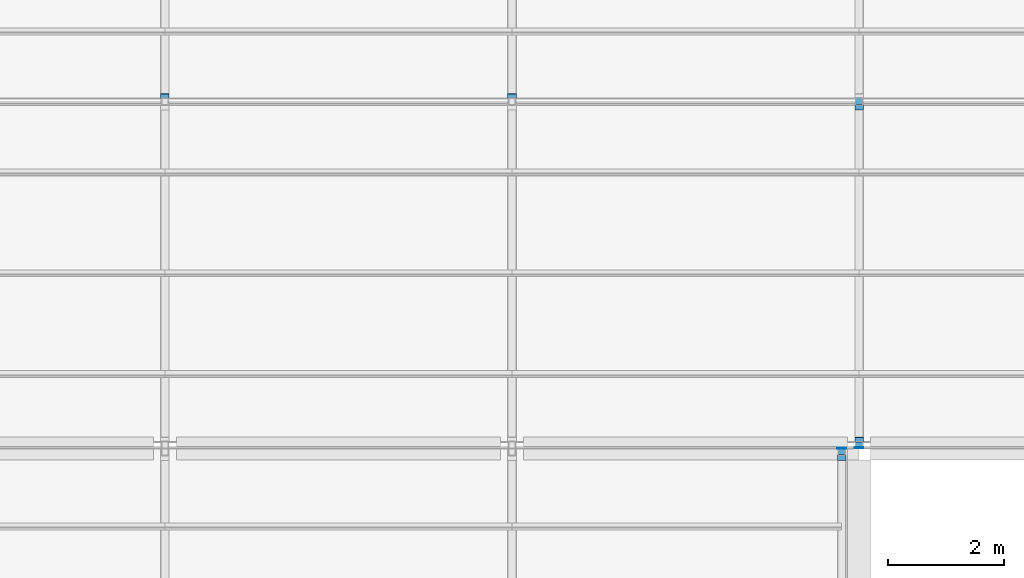
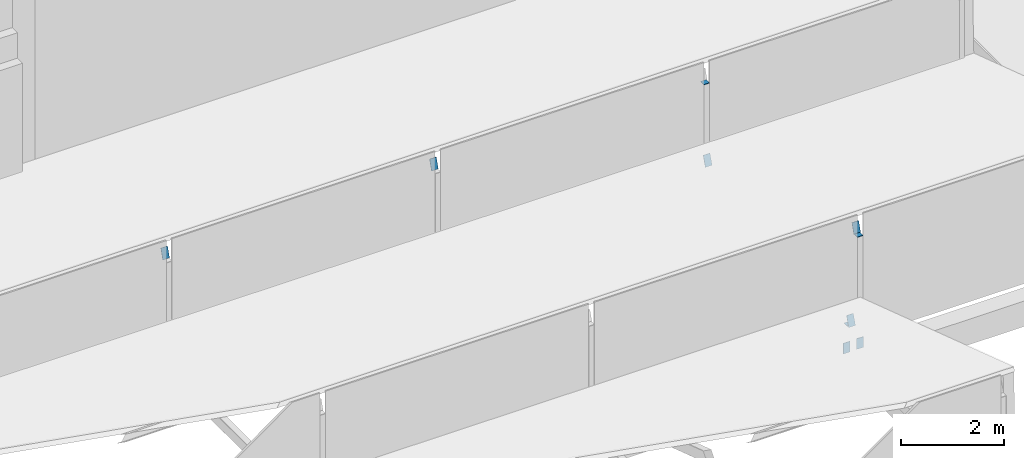
# One storey, part 85 of 118: 10 discrete accessories.
"""IFC4 building model written with IfcOpenShell, lengths in metres."""

import ifcopenshell
import ifcopenshell.guid

model = None  # the IFC model being written
_history = None  # IfcOwnerHistory: only IFC2X3 demands one
_inside = {}  # id of a spatial element -> (the spatial element, [elements in it])
_under = {}  # id of a project, library or spatial element -> (it, [spatial elements below it])
_declared = {}  # id of a project -> (the project, [libraries it declares])
_typed = {}  # id of a type object -> (the type object, [elements of that type])
_made_of = {}  # id of a material, layer set ... -> (it, [elements and type objects made of it])


def new_model(schema):
    """Start an empty IFC model of exactly this schema.

    Asked for "IFC4X3", IfcOpenShell would pick the latest addendum, in which some entities
    have other attributes; the version numbers below select the first issue.
    IFC2X3 requires an IfcOwnerHistory on every rooted entity: one is made here for all.
    """
    global model, _history
    if schema == "IFC4X3":
        model = ifcopenshell.file(schema_version=(4, 3, 0, 0))
    else:
        model = ifcopenshell.file(schema=schema)
    _inside.clear()
    _under.clear()
    _declared.clear()
    _typed.clear()
    _made_of.clear()
    _history = None
    if model.schema == "IFC2X3":
        org = make("IfcOrganization", Name="unknown")
        user = make(
            "IfcPersonAndOrganization",
            ThePerson=make("IfcPerson", FamilyName="unknown"),
            TheOrganization=org,
        )
        app = make(
            "IfcApplication",
            ApplicationDeveloper=org,
            Version="unknown",
            ApplicationFullName="unknown",
            ApplicationIdentifier="unknown",
        )
        _history = make(
            "IfcOwnerHistory",
            OwningUser=user,
            OwningApplication=app,
            ChangeAction="ADDED",
            CreationDate=0,
        )
    return model


def make(cls, **values):
    """One entity of the class cls with the attributes given. An attribute that is None is left unset."""
    return model.create_entity(
        cls, **{name: value for name, value in values.items() if value is not None}
    )


def rooted(cls, **values):
    """An entity with a GlobalId (a new one), such as an element, a storey or a relation."""
    return make(cls, GlobalId=ifcopenshell.guid.new(), OwnerHistory=_history, **values)


def si_unit(unit_type, name, prefix=None):
    """IfcSIUnit, for example si_unit("LENGTHUNIT", "METRE", prefix="MILLI")."""
    return make("IfcSIUnit", UnitType=unit_type, Prefix=prefix, Name=name)


def assignment(units):
    """IfcUnitAssignment: the units of a project."""
    return None if units is None else make("IfcUnitAssignment", Units=units)


def point(xyz):
    """IfcCartesianPoint."""
    return None if xyz is None else make("IfcCartesianPoint", Coordinates=xyz)


def direction(xyz):
    """IfcDirection."""
    return None if xyz is None else make("IfcDirection", DirectionRatios=xyz)


def frame(location, z_axis=None, x_axis=None):
    """IfcAxis2Placement3D, a coordinate frame: its origin and axes. An axis left out is left unset."""
    return make(
        "IfcAxis2Placement3D",
        Location=point(location),
        Axis=direction(z_axis),
        RefDirection=direction(x_axis),
    )


def frame_2d(location, x_axis=None):
    """IfcAxis2Placement2D, a coordinate frame in the plane: its origin and x axis."""
    return make(
        "IfcAxis2Placement2D", Location=point(location), RefDirection=direction(x_axis)
    )


def origin():
    """The frame at (0, 0, 0) with its axes left unset."""
    return frame((0.0, 0.0, 0.0))


def origin_2d():
    """The frame at (0, 0) in the plane with its x axis left unset."""
    return frame_2d((0.0, 0.0))


def place(relative_to, where):
    """IfcLocalPlacement: puts the frame where relative to a parent placement (None: the world)."""
    return make(
        "IfcLocalPlacement", PlacementRelTo=relative_to, RelativePlacement=where
    )


def context(
    kind, dimensions, precision=None, world=None, true_north=None, identifier=None
):
    """IfcGeometricRepresentationContext, for example the 3D "Model" context."""
    return make(
        "IfcGeometricRepresentationContext",
        ContextIdentifier=identifier,
        ContextType=kind,
        CoordinateSpaceDimension=dimensions,
        Precision=precision,
        WorldCoordinateSystem=world,
        TrueNorth=true_north,
    )


def subcontext(parent, identifier, kind, view, scale=None):
    """IfcGeometricRepresentationSubContext, for example "Body" below "Model"."""
    return make(
        "IfcGeometricRepresentationSubContext",
        ContextIdentifier=identifier,
        ContextType=kind,
        ParentContext=parent,
        TargetScale=scale,
        TargetView=view,
    )


def project(units=None, contexts=None):
    """IfcProject with its units and contexts."""
    return rooted(
        "IfcProject",
        Name="project",
        RepresentationContexts=contexts,
        UnitsInContext=assignment(units),
    )


def spatial(cls, under=None, at=None, **own):
    """A site, building, storey or space (cls), placed at a placement, below another one or the project."""
    s = rooted(cls, ObjectPlacement=at, **own)
    if under is not None:
        _under.setdefault(under.id(), (under, []))[1].append(s)
    return s


def profile(cls, at=None, kind="AREA", **sizes):
    """A parametric profile (cls). Its sizes go by their IFC names, for example OverallWidth=200.0."""
    return make(cls, ProfileType=kind, Position=at, **sizes)


def rectangle(**sizes):
    """IfcRectangleProfileDef."""
    return profile("IfcRectangleProfileDef", **sizes)


def extrude(swept, where, along, depth):
    """IfcExtrudedAreaSolid: the profile swept, set in the frame where, extruded along a direction by depth."""
    return make(
        "IfcExtrudedAreaSolid",
        SweptArea=swept,
        Position=where,
        ExtrudedDirection=direction(along),
        Depth=depth,
    )


def shape(context_of_items, identifier, shape_type, items):
    """IfcShapeRepresentation: the items that make up one representation, for example the "Body"."""
    return make(
        "IfcShapeRepresentation",
        ContextOfItems=context_of_items,
        RepresentationIdentifier=identifier,
        RepresentationType=shape_type,
        Items=items,
    )


def material(Name=None, Category=None):
    """IfcMaterial."""
    return make("IfcMaterial", Name=Name, Category=Category)


def material_profile(
    of_material, cross_section, Name=None, Category=None, Priority=None
):
    """IfcMaterialProfile: a cross section and its material."""
    return make(
        "IfcMaterialProfile",
        Name=Name,
        Material=of_material,
        Profile=cross_section,
        Priority=Priority,
        Category=Category,
    )


def profile_set(profiles, Name=None, composite=None):
    """IfcMaterialProfileSet."""
    return make(
        "IfcMaterialProfileSet",
        Name=Name,
        MaterialProfiles=profiles,
        CompositeProfile=composite,
    )


def made_of(thing, what):
    """Note that an element or type object is made of a material, layer set ...; save() writes the relation."""
    if what is not None:
        _made_of.setdefault(what.id(), (what, []))[1].append(thing)
    return thing


def type_object(cls, material=None, **own):
    """A type object (cls), such as IfcWallType, which elements share."""
    return made_of(rooted(cls, **own), material)


def element(
    cls,
    number,
    at=None,
    inside=None,
    cuts=None,
    type_object=None,
    material=None,
    context=None,
    identifier="Body",
    shape_type=None,
    held_by="IfcProductDefinitionShape",
    body=None,
    shapes=None,
    **own,
):
    """One element of the class cls, such as IfcWall. Its Tag is "e" and its number.

    at: its placement. inside: the storey or other place that contains it. cuts: it is an
    opening in that element (IfcRelVoidsElement). A single representation is given by context,
    identifier, shape_type and body (its items); several are given by shapes. held_by: the class
    of the entity that holds the representations. save() writes the other relations.
    """
    e = rooted(cls, Tag="e%d" % number, ObjectPlacement=at, **own)
    if body is not None:
        shapes = [shape(context, identifier, shape_type, body)]
    if shapes is not None:
        e.Representation = make(held_by, Representations=shapes)
    if inside is not None:
        _inside.setdefault(inside.id(), (inside, []))[1].append(e)
    if cuts is not None:
        rooted(
            "IfcRelVoidsElement", RelatingBuildingElement=cuts, RelatedOpeningElement=e
        )
    if type_object is not None:
        _typed.setdefault(type_object.id(), (type_object, []))[1].append(e)
    return made_of(e, material)


def aggregate(whole, parts):
    """IfcRelAggregates: a whole, such as a stair, and the parts it consists of."""
    return rooted("IfcRelAggregates", RelatingObject=whole, RelatedObjects=parts)


def save(model, path):
    """Write the relations noted so far, then the file.

    IfcRelAggregates (storeys below a building ...), IfcRelContainedInSpatialStructure (elements
    in a storey), IfcRelDefinesByType, IfcRelAssociatesMaterial and IfcRelDeclares: one each for
    every whole, place, type object, material and project.
    """
    for whole, parts in _under.values():
        aggregate(whole, parts)
    for where, things in _inside.values():
        rooted(
            "IfcRelContainedInSpatialStructure",
            RelatedElements=things,
            RelatingStructure=where,
        )
    for kind, things in _typed.values():
        rooted("IfcRelDefinesByType", RelatedObjects=things, RelatingType=kind)
    for what, things in _made_of.values():
        rooted("IfcRelAssociatesMaterial", RelatedObjects=things, RelatingMaterial=what)
    for by, libraries in _declared.values():
        rooted("IfcRelDeclares", RelatingContext=by, RelatedDefinitions=libraries)
    model.write(path)


model = new_model("IFC4")

# Units and contexts
model_context = context("Model", 3, precision=1e-05, world=origin(), true_north=direction((0.0, 1.0)))
body_context = subcontext(model_context, "Body", "Model", "MODEL_VIEW")
ifc_project = project(units=[si_unit("LENGTHUNIT", "METRE"), si_unit("AREAUNIT", "SQUARE_METRE"), si_unit("VOLUMEUNIT", "CUBIC_METRE"), si_unit("PLANEANGLEUNIT", "RADIAN"), si_unit("MASSUNIT", "GRAM", prefix="KILO")], contexts=[model_context])

# Site, building, storey
site_placement = place(None, origin())
site = spatial("IfcSite", under=ifc_project, at=site_placement, CompositionType="ELEMENT")
building_placement = place(site_placement, origin())
building = spatial("IfcBuilding", under=site, at=building_placement, Name="Saffron Lane Theatres", CompositionType="ELEMENT")
storey_placement = place(building_placement, frame((0.0, 0.0, 16.5)))
storey = spatial("IfcBuildingStorey", under=building, at=storey_placement, Name="L03", CompositionType="ELEMENT", Elevation=16.5)

# Discrete accessories
ifc_material_1 = material(Name="Steel Grade 350", Category="steel")
ifc_material_profile_1 = material_profile(ifc_material_1, rectangle(XDim=0.125, YDim=0.125, at=origin_2d()))
ifc_profile_set_1 = profile_set([ifc_material_profile_1], Name="Steel Grade 350")
discrete_accessory_type_1 = type_object("IfcDiscreteAccessoryType", Name="ST-STEEL END CAP 125x125x6 SHS", PredefinedType="ANCHORPLATE", material=ifc_profile_set_1)
for number, where, z_axis, x_axis, name in (
    (1, (29.699951171875, 17.9375, 0.720703125), (0.0, 0.0, 1.0), (1.0, 0.0, 0.0), "EC204"),
    (2, (30.0, 18.0625, 2.638671875), (0.0, 0.0, 1.0), (1.0, 0.0, 0.0), "EC241"),
    (3, (30.0, 24.0, 2.638671875), (0.0, 0.0, 1.0), (1.0, 0.0, 0.0), "EC244"),
):
    element("IfcDiscreteAccessory", number, at=place(storey_placement, frame(where, z_axis=z_axis, x_axis=x_axis)), inside=storey, type_object=discrete_accessory_type_1, Name=name, PredefinedType="ANCHORPLATE", context=body_context, shape_type="SweptSolid", body=[
        extrude(rectangle(XDim=0.125, YDim=0.125, at=origin_2d()), origin(), (0.0, 0.0, 1.0), 0.011962890625),
    ])
ifc_material_2 = material(Name="Steel Grade 350", Category="steel")
ifc_material_profile_2 = material_profile(ifc_material_2, rectangle(XDim=0.14990234375, YDim=0.25, at=origin_2d()))
ifc_profile_set_2 = profile_set([ifc_material_profile_2], Name="Steel Grade 350")
discrete_accessory_type_2 = type_object("IfcDiscreteAccessoryType", Name="ST-STEEL END CAP 250x150x9 RHS", PredefinedType="ANCHORPLATE", material=ifc_profile_set_2)
for number, where, z_axis, x_axis, name in (
    (4, (29.699951171875, 18.0, 0.125), (0.0, 1.0, 0.0), (-1.0, 0.0, 0.0), "EC196"),
    (5, (29.699951171875, 17.8359375, 0.865234375), (0.0, 0.944496796706, -0.328520624941), (-1.0, 0.0, 0.0), "EC206"),
):
    element("IfcDiscreteAccessory", number, at=place(storey_placement, frame(where, z_axis=z_axis, x_axis=x_axis)), inside=storey, type_object=discrete_accessory_type_2, Name=name, PredefinedType="ANCHORPLATE", context=body_context, shape_type="SweptSolid", body=[
        extrude(rectangle(XDim=0.14990234375, YDim=0.25, at=origin_2d()), origin(), (0.0, 0.0, 1.0), 0.011962890625),
    ])
for number, where, z_axis, x_axis, name in (
    (6, (18.0, 24.09033203125, 2.76123046875), (0.0, 0.950729839481, -0.310020599831), (-1.0, 0.0, 0.0), "EC229"),
    (7, (24.0, 24.09033203125, 2.76123046875), (0.0, 0.950729839481, -0.310020599831), (-1.0, 0.0, 0.0), "EC237"),
):
    element("IfcDiscreteAccessory", number, at=place(storey_placement, frame(where, z_axis=z_axis, x_axis=x_axis)), inside=storey, type_object=discrete_accessory_type_2, Name=name, PredefinedType="ANCHORPLATE", context=body_context, shape_type="SweptSolid", body=[
        extrude(rectangle(XDim=0.14990234375, YDim=0.25, at=origin_2d()), origin(), (0.0, 0.0, 1.0), 0.01171875),
    ])
discrete_accessory_1_placement = place(storey_placement, frame((30.0, 18.008056640625, 0.125), z_axis=(0.0, 1.0, 0.0), x_axis=(-1.0, 0.0, 0.0)))
element("IfcDiscreteAccessory", 8, at=discrete_accessory_1_placement, inside=storey, type_object=discrete_accessory_type_2, Name="EC239", PredefinedType="ANCHORPLATE", context=body_context, shape_type="SweptSolid", body=[
    extrude(rectangle(XDim=0.14990234375, YDim=0.25, at=origin_2d()), origin(), (0.0, 0.0, 1.0), 0.011962890625),
])
discrete_accessory_2_placement = place(storey_placement, frame((30.0, 18.15283203125, 2.76123046875), z_axis=(0.0, 0.950729839481, -0.310020599831), x_axis=(-1.0, 0.0, 0.0)))
element("IfcDiscreteAccessory", 9, at=discrete_accessory_2_placement, inside=storey, type_object=discrete_accessory_type_2, Name="EC242", PredefinedType="ANCHORPLATE", context=body_context, shape_type="SweptSolid", body=[
    extrude(rectangle(XDim=0.14990234375, YDim=0.25, at=origin_2d()), origin(), (0.0, 0.0, 1.0), 0.01171875),
])
discrete_accessory_3_placement = place(storey_placement, frame((30.0, 23.8984375, 0.865234375), z_axis=(0.0, 0.944496796706, -0.328520624941), x_axis=(-1.0, 0.0, 0.0)))
element("IfcDiscreteAccessory", 10, at=discrete_accessory_3_placement, inside=storey, type_object=discrete_accessory_type_2, Name="EC243", PredefinedType="ANCHORPLATE", context=body_context, shape_type="SweptSolid", body=[
    extrude(rectangle(XDim=0.14990234375, YDim=0.25, at=origin_2d()), origin(), (0.0, 0.0, 1.0), 0.011962890625),
])

save(model, "model.ifc")
